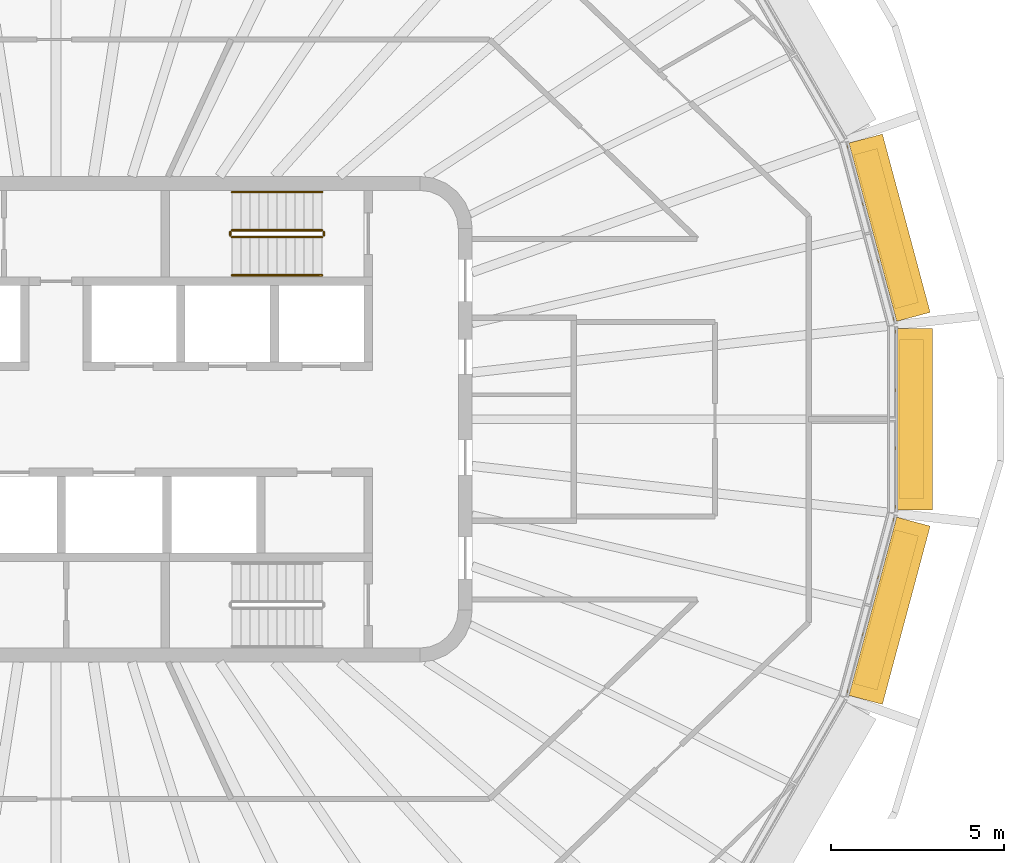
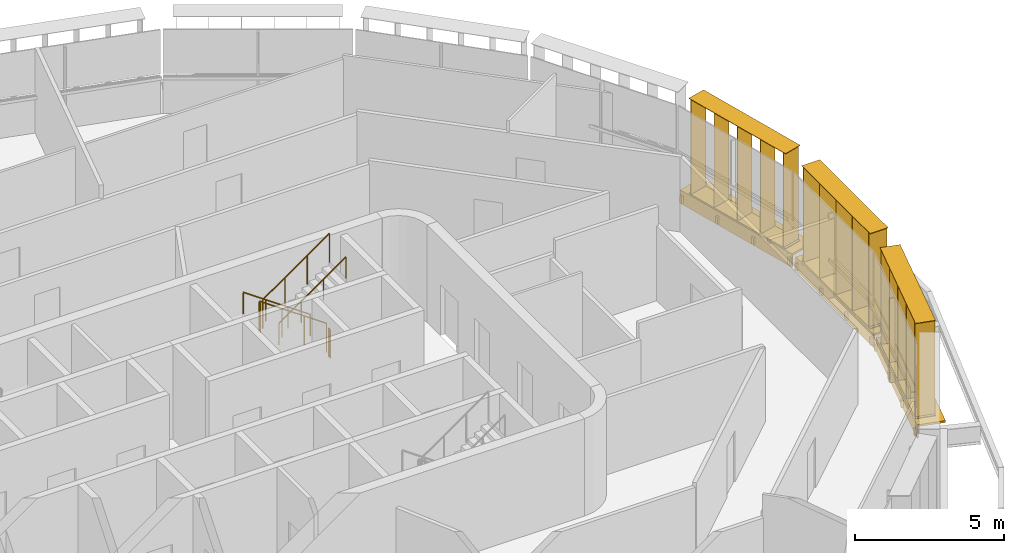
# One storey, part 17 of 18: 6 railings, 6 shading devices.
"""IFC4 building model written with IfcOpenShell, lengths in metres."""

from ifc_helpers import new_model, si_unit, direction, frame, origin, origin_2d, place, context, subcontext, project, spatial, rectangle, circle, extrude, material, type_object, element, save


model = new_model("IFC4")

# Units and contexts
model_context = context("Model", 3, precision=1e-05, world=origin(), true_north=direction((0.0, 1.0)))
body_context = subcontext(model_context, "Body", "Model", "MODEL_VIEW")
ifc_project = project(units=[si_unit("LENGTHUNIT", "METRE"), si_unit("AREAUNIT", "SQUARE_METRE"), si_unit("VOLUMEUNIT", "CUBIC_METRE"), si_unit("PLANEANGLEUNIT", "RADIAN"), si_unit("MASSUNIT", "GRAM", prefix="KILO")], contexts=[model_context])

# Site, building, storey
site_placement = place(None, origin())
site = spatial("IfcSite", under=ifc_project, at=site_placement, CompositionType="ELEMENT")
building_placement = place(site_placement, origin())
building = spatial("IfcBuilding", under=site, at=building_placement, Name="Sahrelin Media Tower", CompositionType="ELEMENT")
storey_placement = place(building_placement, frame((0.0, 0.0, 320.39990234375)))
storey = spatial("IfcBuildingStorey", under=building, at=storey_placement, Name="L71", CompositionType="ELEMENT", Elevation=320.39990234375)

# Shading devices
ifc_material_1 = material(Name="Champagne anodised aluminium 6063-T6", Category="aluminium")
shading_device_type_1 = type_object("IfcShadingDeviceType", Name="Fin cassette", PredefinedType="USERDEFINED", material=ifc_material_1)
placement_1 = place(storey_placement, frame((24.24267578125, 0.0, 0.0), z_axis=(0.0, 0.0, 1.0), x_axis=(0.0, -1.0, 0.0)))
element("IfcShadingDevice", 1, at=placement_1, inside=storey, type_object=shading_device_type_1, Name="L71:FIN:L71-00", ObjectType="FIN", PredefinedType="USERDEFINED", context=body_context, shape_type="SweptSolid", body=[
    extrude(rectangle(XDim=4.60009765625, YDim=0.699951171875, at=origin_2d()), frame((0.0, 0.419921875, 0.0)), (0.0, 0.0, 1.0), 0.02001953125),
    extrude(rectangle(XDim=4.60009765625, YDim=0.699951171875, at=origin_2d()), frame((0.0, 0.419921875, 3.89990234375)), (0.0, 0.0, 1.0), 0.02001953125),
    extrude(rectangle(XDim=0.02001953125, YDim=0.699951171875, at=origin_2d()), frame((-2.199951171875, 0.419921875, 0.010009765625), z_axis=(0.0, 0.0, 1.0), x_axis=(1.0, 0.0, 0.0)), (0.0, 0.0, 1.0), 3.89990234375),
    extrude(rectangle(XDim=0.02001953125, YDim=0.699951171875, at=origin_2d()), frame((-1.10009765625, 0.419921875, 0.010009765625), z_axis=(0.0, 0.0, 1.0), x_axis=(1.0, 0.0, 0.0)), (0.0, 0.0, 1.0), 3.89990234375),
    extrude(rectangle(XDim=0.02001953125, YDim=0.699951171875, at=origin_2d()), frame((0.0, 0.419921875, 0.010009765625), z_axis=(0.0, 0.0, 1.0), x_axis=(1.0, 0.0, 0.0)), (0.0, 0.0, 1.0), 3.89990234375),
    extrude(rectangle(XDim=0.02001953125, YDim=0.699951171875, at=origin_2d()), frame((1.10009765625, 0.419921875, 0.010009765625), z_axis=(0.0, 0.0, 1.0), x_axis=(1.0, 0.0, 0.0)), (0.0, 0.0, 1.0), 3.89990234375),
    extrude(rectangle(XDim=0.02001953125, YDim=0.699951171875, at=origin_2d()), frame((2.199951171875, 0.419921875, 0.010009765625), z_axis=(0.0, 0.0, 1.0), x_axis=(1.0, 0.0, 0.0)), (0.0, 0.0, 1.0), 3.89990234375),
])
placement_2 = place(storey_placement, frame((23.5283203125, 5.38671875, 0.0), z_axis=(0.0, 0.0, 1.0), x_axis=(0.258807731996, -0.965928857556, 0.0)))
element("IfcShadingDevice", 2, at=placement_2, inside=storey, type_object=shading_device_type_1, Name="L71:FIN:L71-01", ObjectType="FIN", PredefinedType="USERDEFINED", context=body_context, shape_type="SweptSolid", body=[
    extrude(rectangle(XDim=4.60009765625, YDim=0.699951171875, at=origin_2d()), frame((0.0, 0.419921875, 0.0)), (0.0, 0.0, 1.0), 0.02001953125),
    extrude(rectangle(XDim=4.60009765625, YDim=0.699951171875, at=origin_2d()), frame((0.0, 0.419921875, 3.89990234375)), (0.0, 0.0, 1.0), 0.02001953125),
    extrude(rectangle(XDim=0.02001953125, YDim=0.699951171875, at=origin_2d()), frame((-2.199951171875, 0.419921875, 0.010009765625), z_axis=(0.0, 0.0, 1.0), x_axis=(1.0, 0.0, 0.0)), (0.0, 0.0, 1.0), 3.89990234375),
    extrude(rectangle(XDim=0.02001953125, YDim=0.699951171875, at=origin_2d()), frame((-1.10009765625, 0.419921875, 0.010009765625), z_axis=(0.0, 0.0, 1.0), x_axis=(1.0, 0.0, 0.0)), (0.0, 0.0, 1.0), 3.89990234375),
    extrude(rectangle(XDim=0.02001953125, YDim=0.699951171875, at=origin_2d()), frame((0.0, 0.419921875, 0.010009765625), z_axis=(0.0, 0.0, 1.0), x_axis=(1.0, 0.0, 0.0)), (0.0, 0.0, 1.0), 3.89990234375),
    extrude(rectangle(XDim=0.02001953125, YDim=0.699951171875, at=origin_2d()), frame((1.10009765625, 0.419921875, 0.010009765625), z_axis=(0.0, 0.0, 1.0), x_axis=(1.0, 0.0, 0.0)), (0.0, 0.0, 1.0), 3.89990234375),
    extrude(rectangle(XDim=0.02001953125, YDim=0.699951171875, at=origin_2d()), frame((2.199951171875, 0.419921875, 0.010009765625), z_axis=(0.0, 0.0, 1.0), x_axis=(1.0, 0.0, 0.0)), (0.0, 0.0, 1.0), 3.89990234375),
])
placement_3 = place(storey_placement, frame((23.5283203125, -5.38671875, 0.0), z_axis=(0.0, 0.0, 1.0), x_axis=(-0.258807731996, -0.965928857556, 0.0)))
element("IfcShadingDevice", 3, at=placement_3, inside=storey, type_object=shading_device_type_1, Name="L71:FIN:L71-23", ObjectType="FIN", PredefinedType="USERDEFINED", context=body_context, shape_type="SweptSolid", body=[
    extrude(rectangle(XDim=4.60009765625, YDim=0.699951171875, at=origin_2d()), frame((0.0, 0.419921875, 0.0)), (0.0, 0.0, 1.0), 0.02001953125),
    extrude(rectangle(XDim=4.60009765625, YDim=0.699951171875, at=origin_2d()), frame((0.0, 0.419921875, 3.89990234375)), (0.0, 0.0, 1.0), 0.02001953125),
    extrude(rectangle(XDim=0.02001953125, YDim=0.699951171875, at=origin_2d()), frame((-2.199951171875, 0.419921875, 0.010009765625), z_axis=(0.0, 0.0, 1.0), x_axis=(1.0, 0.0, 0.0)), (0.0, 0.0, 1.0), 3.89990234375),
    extrude(rectangle(XDim=0.02001953125, YDim=0.699951171875, at=origin_2d()), frame((-1.10009765625, 0.419921875, 0.010009765625), z_axis=(0.0, 0.0, 1.0), x_axis=(1.0, 0.0, 0.0)), (0.0, 0.0, 1.0), 3.89990234375),
    extrude(rectangle(XDim=0.02001953125, YDim=0.699951171875, at=origin_2d()), frame((0.0, 0.419921875, 0.010009765625), z_axis=(0.0, 0.0, 1.0), x_axis=(1.0, 0.0, 0.0)), (0.0, 0.0, 1.0), 3.89990234375),
    extrude(rectangle(XDim=0.02001953125, YDim=0.699951171875, at=origin_2d()), frame((1.10009765625, 0.419921875, 0.010009765625), z_axis=(0.0, 0.0, 1.0), x_axis=(1.0, 0.0, 0.0)), (0.0, 0.0, 1.0), 3.89990234375),
    extrude(rectangle(XDim=0.02001953125, YDim=0.699951171875, at=origin_2d()), frame((2.199951171875, 0.419921875, 0.010009765625), z_axis=(0.0, 0.0, 1.0), x_axis=(1.0, 0.0, 0.0)), (0.0, 0.0, 1.0), 3.89990234375),
])

# Railings
ifc_material_2 = material(Name="Steel S355", Category="steel")
railing_type_1 = type_object("IfcRailingType", Name="Stair guard 1200", PredefinedType="GUARDRAIL", material=ifc_material_2)
railing_1_placement = place(storey_placement, frame((7.675048828125, 5.449951171875, 0.181884765625)))
element("IfcRailing", 4, at=railing_1_placement, inside=storey, type_object=railing_type_1, Name="L71 ST3 stair guard 1", PredefinedType="GUARDRAIL", context=body_context, shape_type="SweptSolid", body=[
    extrude(circle(Radius=0.02392578125, at=origin_2d()), frame((0.0, 0.0, 1.17578125), z_axis=(-0.819521025635, 0.0, 0.573049115296), x_axis=(0.0, -1.0, 0.0)), (0.0, 0.0, 1.0), 3.172607421875),
    extrude(circle(Radius=0.02099609375, at=origin_2d()), origin(), (0.0, 0.0, 1.0), 1.15185546875),
    extrude(circle(Radius=0.02099609375, at=origin_2d()), frame((-0.86669921875, 0.0, 0.60595703125)), (0.0, 0.0, 1.0), 1.15185546875),
    extrude(circle(Radius=0.02099609375, at=origin_2d()), frame((-1.7333984375, 0.0, 1.212158203125)), (0.0, 0.0, 1.0), 1.15185546875),
    extrude(circle(Radius=0.02099609375, at=origin_2d()), frame((-2.60009765625, 0.0, 1.818115234375)), (0.0, 0.0, 1.0), 1.15185546875),
])
railing_2_placement = place(storey_placement, frame((5.02490234375, 5.39990234375, 2.0)))
element("IfcRailing", 5, at=railing_2_placement, inside=storey, type_object=railing_type_1, Name="L71 ST3 stair guard 2", PredefinedType="GUARDRAIL", context=body_context, shape_type="SweptSolid", body=[
    extrude(circle(Radius=0.02392578125, at=origin_2d()), frame((0.0, 0.0, 1.17578125), z_axis=(0.0, -1.0, 0.0), x_axis=(1.0, 0.0, 0.0)), (0.0, 0.0, 1.0), 0.099853515625),
    extrude(circle(Radius=0.02099609375, at=origin_2d()), origin(), (0.0, 0.0, 1.0), 1.15185546875),
    extrude(circle(Radius=0.02099609375, at=origin_2d()), frame((0.0, -0.099853515625, 0.0)), (0.0, 0.0, 1.0), 1.15185546875),
])
railing_3_placement = place(storey_placement, frame((5.074951171875, 5.25, 2.181884765625)))
element("IfcRailing", 6, at=railing_3_placement, inside=storey, type_object=railing_type_1, Name="L71 ST3 stair guard 3", PredefinedType="GUARDRAIL", context=body_context, shape_type="SweptSolid", body=[
    extrude(circle(Radius=0.02392578125, at=origin_2d()), frame((0.0, 0.0, 1.17578125), z_axis=(0.819521025635, 0.0, 0.573049115296), x_axis=(0.0, 1.0, 0.0)), (0.0, 0.0, 1.0), 3.172607421875),
    extrude(circle(Radius=0.02099609375, at=origin_2d()), origin(), (0.0, 0.0, 1.0), 1.15185546875),
    extrude(circle(Radius=0.02099609375, at=origin_2d()), frame((0.86669921875, 0.0, 0.60595703125)), (0.0, 0.0, 1.0), 1.15185546875),
    extrude(circle(Radius=0.02099609375, at=origin_2d()), frame((1.7333984375, 0.0, 1.212158203125)), (0.0, 0.0, 1.0), 1.15185546875),
    extrude(circle(Radius=0.02099609375, at=origin_2d()), frame((2.60009765625, 0.0, 1.818115234375)), (0.0, 0.0, 1.0), 1.15185546875),
])
railing_4_placement = place(storey_placement, frame((7.72509765625, 5.39990234375, 0.0)))
element("IfcRailing", 7, at=railing_4_placement, inside=storey, type_object=railing_type_1, Name="L71 ST3 stair guard 4", PredefinedType="GUARDRAIL", context=body_context, shape_type="SweptSolid", body=[
    extrude(circle(Radius=0.02392578125, at=origin_2d()), frame((0.0, 0.0, 1.17578125), z_axis=(0.0, -1.0, 0.0), x_axis=(1.0, 0.0, 0.0)), (0.0, 0.0, 1.0), 0.099853515625),
    extrude(circle(Radius=0.02099609375, at=origin_2d()), origin(), (0.0, 0.0, 1.0), 1.15185546875),
    extrude(circle(Radius=0.02099609375, at=origin_2d()), frame((0.0, -0.099853515625, 0.0)), (0.0, 0.0, 1.0), 1.15185546875),
])
railing_type_2 = type_object("IfcRailingType", Name="Stair handrail 900", PredefinedType="HANDRAIL", material=ifc_material_2)
railing_5_placement = place(storey_placement, frame((7.675048828125, 6.550048828125, 0.181884765625)))
element("IfcRailing", 8, at=railing_5_placement, inside=storey, type_object=railing_type_2, Name="L71 ST3 stair handrail 1", PredefinedType="HANDRAIL", context=body_context, shape_type="SweptSolid", body=[
    extrude(circle(Radius=0.02392578125, at=origin_2d()), frame((0.0, 0.0, 0.8759765625), z_axis=(-0.819521025635, 0.0, 0.573049115296), x_axis=(0.0, -1.0, 0.0)), (0.0, 0.0, 1.0), 3.172607421875),
    extrude(circle(Radius=0.02099609375, at=origin_2d()), origin(), (0.0, 0.0, 1.0), 0.851806640625),
    extrude(circle(Radius=0.02099609375, at=origin_2d()), frame((-0.86669921875, 0.0, 0.60595703125)), (0.0, 0.0, 1.0), 0.851806640625),
    extrude(circle(Radius=0.02099609375, at=origin_2d()), frame((-1.7333984375, 0.0, 1.212158203125)), (0.0, 0.0, 1.0), 0.851806640625),
    extrude(circle(Radius=0.02099609375, at=origin_2d()), frame((-2.60009765625, 0.0, 1.818115234375)), (0.0, 0.0, 1.0), 0.851806640625),
])
railing_6_placement = place(storey_placement, frame((5.074951171875, 4.14990234375, 2.181884765625)))
element("IfcRailing", 9, at=railing_6_placement, inside=storey, type_object=railing_type_2, Name="L71 ST3 stair handrail 2", PredefinedType="HANDRAIL", context=body_context, shape_type="SweptSolid", body=[
    extrude(circle(Radius=0.02392578125, at=origin_2d()), frame((0.0, 0.0, 0.8759765625), z_axis=(0.819521025635, 0.0, 0.573049115296), x_axis=(0.0, 1.0, 0.0)), (0.0, 0.0, 1.0), 3.172607421875),
    extrude(circle(Radius=0.02099609375, at=origin_2d()), origin(), (0.0, 0.0, 1.0), 0.851806640625),
    extrude(circle(Radius=0.02099609375, at=origin_2d()), frame((0.86669921875, 0.0, 0.60595703125)), (0.0, 0.0, 1.0), 0.851806640625),
    extrude(circle(Radius=0.02099609375, at=origin_2d()), frame((1.7333984375, 0.0, 1.212158203125)), (0.0, 0.0, 1.0), 0.851806640625),
    extrude(circle(Radius=0.02099609375, at=origin_2d()), frame((2.60009765625, 0.0, 1.818115234375)), (0.0, 0.0, 1.0), 0.851806640625),
])

# Shading devices
shading_device_type_2 = type_object("IfcShadingDeviceType", Name="Sunshade band", PredefinedType="USERDEFINED", material=ifc_material_1)
element("IfcShadingDevice", 10, at=placement_1, inside=storey, type_object=shading_device_type_2, Name="L71:SUN:L71-00", ObjectType="SUNSHADE", PredefinedType="USERDEFINED", context=body_context, shape_type="SweptSolid", body=[
    extrude(rectangle(XDim=5.23974609375, YDim=0.050048828125, at=origin_2d()), frame((0.0, 0.044921875, -0.55126953125)), (0.0, 0.0, 1.0), 0.471435546875),
    extrude(rectangle(XDim=5.23974609375, YDim=1.0, at=origin_2d()), frame((0.0, 0.52001953125, -0.080078125)), (0.0, 0.0, 1.0), 0.080078125),
    extrude(rectangle(XDim=0.10009765625, YDim=0.074951171875, at=origin_2d()), frame((-2.52001953125, -0.017578125, -0.47021484375)), (0.0, 0.0, 1.0), 0.300048828125),
    extrude(rectangle(XDim=0.10009765625, YDim=0.074951171875, at=origin_2d()), frame((-0.840087890625, -0.017578125, -0.47021484375)), (0.0, 0.0, 1.0), 0.300048828125),
    extrude(rectangle(XDim=0.10009765625, YDim=0.074951171875, at=origin_2d()), frame((0.840087890625, -0.017578125, -0.47021484375)), (0.0, 0.0, 1.0), 0.300048828125),
    extrude(rectangle(XDim=0.10009765625, YDim=0.074951171875, at=origin_2d()), frame((2.52001953125, -0.017578125, -0.47021484375)), (0.0, 0.0, 1.0), 0.300048828125),
])
element("IfcShadingDevice", 11, at=placement_2, inside=storey, type_object=shading_device_type_2, Name="L71:SUN:L71-01", ObjectType="SUNSHADE", PredefinedType="USERDEFINED", context=body_context, shape_type="SweptSolid", body=[
    extrude(rectangle(XDim=5.32177734375, YDim=0.050048828125, at=origin_2d()), frame((0.0, 0.044921875, -0.55126953125)), (0.0, 0.0, 1.0), 0.471435546875),
    extrude(rectangle(XDim=5.32177734375, YDim=1.0, at=origin_2d()), frame((0.0, 0.52001953125, -0.080078125)), (0.0, 0.0, 1.0), 0.080078125),
    extrude(rectangle(XDim=0.10009765625, YDim=0.074951171875, at=origin_2d()), frame((-2.560791015625, -0.017578125, -0.47021484375)), (0.0, 0.0, 1.0), 0.300048828125),
    extrude(rectangle(XDim=0.10009765625, YDim=0.074951171875, at=origin_2d()), frame((-0.853515625, -0.017578125, -0.47021484375)), (0.0, 0.0, 1.0), 0.300048828125),
    extrude(rectangle(XDim=0.10009765625, YDim=0.074951171875, at=origin_2d()), frame((0.853515625, -0.017578125, -0.47021484375)), (0.0, 0.0, 1.0), 0.300048828125),
    extrude(rectangle(XDim=0.10009765625, YDim=0.074951171875, at=origin_2d()), frame((2.560791015625, -0.017578125, -0.47021484375)), (0.0, 0.0, 1.0), 0.300048828125),
])
element("IfcShadingDevice", 12, at=placement_3, inside=storey, type_object=shading_device_type_2, Name="L71:SUN:L71-23", ObjectType="SUNSHADE", PredefinedType="USERDEFINED", context=body_context, shape_type="SweptSolid", body=[
    extrude(rectangle(XDim=5.32177734375, YDim=0.050048828125, at=origin_2d()), frame((0.0, 0.044921875, -0.55126953125)), (0.0, 0.0, 1.0), 0.471435546875),
    extrude(rectangle(XDim=5.32177734375, YDim=1.0, at=origin_2d()), frame((0.0, 0.52001953125, -0.080078125)), (0.0, 0.0, 1.0), 0.080078125),
    extrude(rectangle(XDim=0.10009765625, YDim=0.074951171875, at=origin_2d()), frame((-2.560791015625, -0.017578125, -0.47021484375)), (0.0, 0.0, 1.0), 0.300048828125),
    extrude(rectangle(XDim=0.10009765625, YDim=0.074951171875, at=origin_2d()), frame((-0.853515625, -0.017578125, -0.47021484375)), (0.0, 0.0, 1.0), 0.300048828125),
    extrude(rectangle(XDim=0.10009765625, YDim=0.074951171875, at=origin_2d()), frame((0.853515625, -0.017578125, -0.47021484375)), (0.0, 0.0, 1.0), 0.300048828125),
    extrude(rectangle(XDim=0.10009765625, YDim=0.074951171875, at=origin_2d()), frame((2.560791015625, -0.017578125, -0.47021484375)), (0.0, 0.0, 1.0), 0.300048828125),
])

save(model, "model.ifc")
